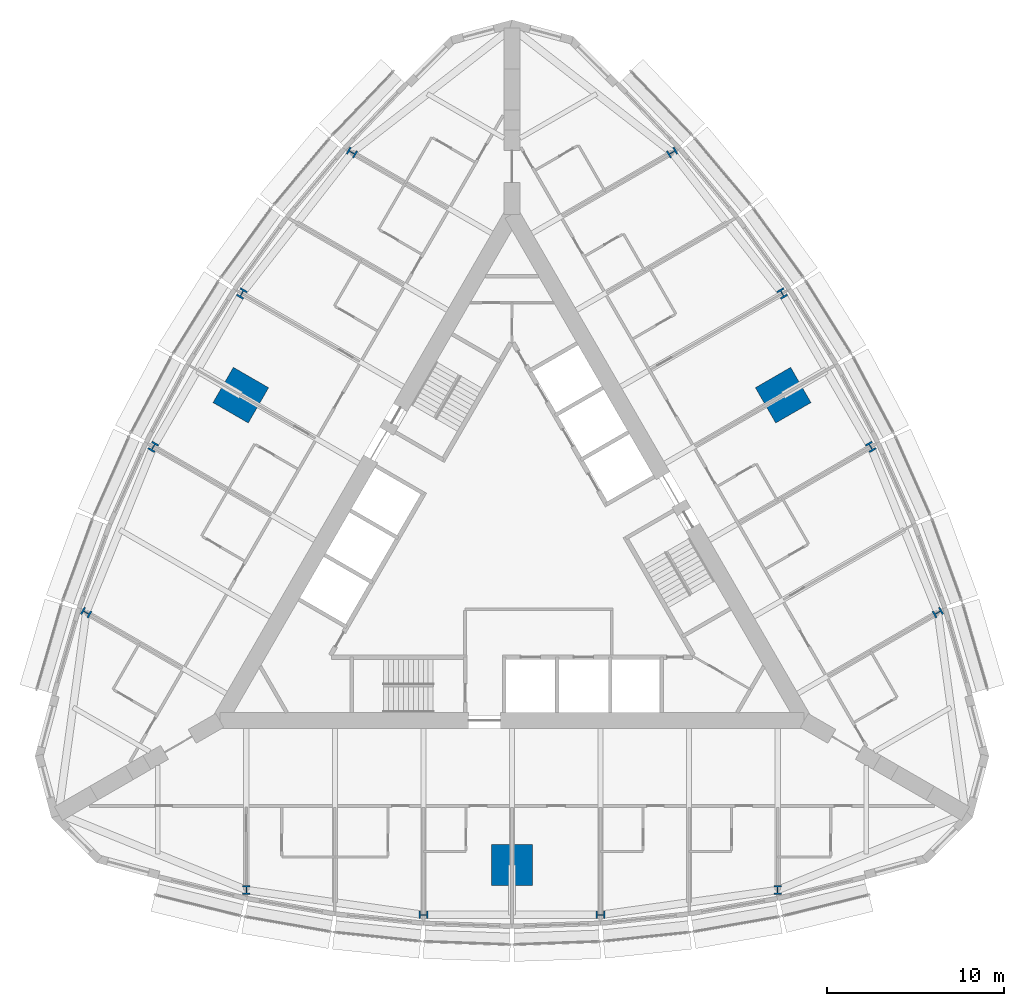
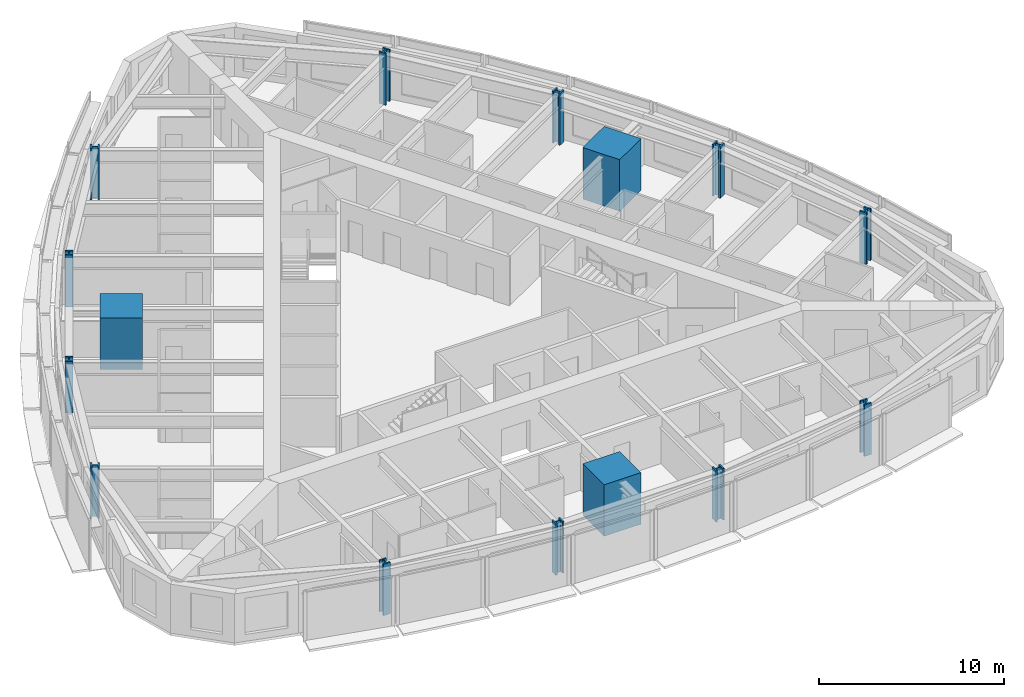
# One storey, part 1 of 14: 15 columns.
"""IFC4 building model written with IfcOpenShell, lengths in metres."""

from ifc_helpers import new_model, si_unit, direction, frame, origin, origin_2d, place, context, subcontext, project, spatial, rectangle, i_section, extrude, material, material_profile, profile_set, type_object, element, save


model = new_model("IFC4")

# Units and contexts
model_context = context("Model", 3, precision=1e-05, world=origin(), true_north=direction((0.0, 1.0)))
body_context = subcontext(model_context, "Body", "Model", "MODEL_VIEW")
ifc_project = project(units=[si_unit("LENGTHUNIT", "METRE"), si_unit("AREAUNIT", "SQUARE_METRE"), si_unit("VOLUMEUNIT", "CUBIC_METRE"), si_unit("PLANEANGLEUNIT", "RADIAN"), si_unit("MASSUNIT", "GRAM", prefix="KILO")], contexts=[model_context])

# Site, building, storey
site_placement = place(None, origin())
site = spatial("IfcSite", under=ifc_project, at=site_placement, CompositionType="ELEMENT")
building_placement = place(site_placement, origin())
building = spatial("IfcBuilding", under=site, at=building_placement, Name="Trikona Tower", CompositionType="ELEMENT")
storey_placement = place(building_placement, frame((0.0, 0.0, 145.300048828125)))
storey = spatial("IfcBuildingStorey", under=building, at=storey_placement, Name="L38", CompositionType="ELEMENT", Elevation=145.300048828125)

# Columns
ifc_material_1 = material(Name="Concrete f'c 10000 psi with encased steel section", Category="concrete")
ifc_material_profile_1 = material_profile(ifc_material_1, rectangle(XDim=2.300048828125, YDim=2.300048828125, at=origin_2d()), Name="MC2300")
ifc_profile_set_1 = profile_set([ifc_material_profile_1], Name="Concrete f'c 10000 psi with encased steel section")
column_type_1 = type_object("IfcColumnType", Name="Composite mega column 2300x2300", PredefinedType="COLUMN", material=ifc_profile_set_1)
for number, where, z_axis, x_axis, name in (
    (1, (0.0, -17.680419921875, 0.0), (0.0, 0.0, 1.0), (0.0, -1.0, 0.0), "Mega column MC1"),
    (2, (15.311767578125, 8.84033203125, 0.0), (0.0, 0.0, 1.0), (0.866025403784, 0.5, 0.0), "Mega column MC2"),
    (3, (-15.311767578125, 8.84033203125, 0.0), (0.0, 0.0, 1.0), (-0.866025403784, 0.5, 0.0), "Mega column MC3"),
):
    element("IfcColumn", number, at=place(storey_placement, frame(where, z_axis=z_axis, x_axis=x_axis)), inside=storey, type_object=column_type_1, Name=name, PredefinedType="COLUMN", context=body_context, shape_type="SweptSolid", body=[
        extrude(rectangle(XDim=2.300048828125, YDim=2.300048828125, at=origin_2d()), origin(), (0.0, 0.0, 1.0), 3.39990234375),
    ])
ifc_material_2 = material(Name="Steel ASTM A992 Grade 50", Category="steel")
ifc_material_profile_2 = material_profile(ifc_material_2, i_section(OverallWidth=0.436767578125, OverallDepth=0.51318359375, WebThickness=0.060546875, FlangeThickness=0.096923828125, at=origin_2d()), Name="W14X550")
ifc_profile_set_2 = profile_set([ifc_material_profile_2], Name="Steel ASTM A992 Grade 50")
column_type_2 = type_object("IfcColumnType", Name="Steel column W14x550", PredefinedType="COLUMN", material=ifc_profile_set_2)
for number, where, z_axis, x_axis, name in (
    (4, (-15.0, -19.10009765625, 0.0), (0.0, 0.0, 1.0), (1.0, 0.0, 0.0), "Column F0m15"),
    (5, (-5.0, -20.500244140625, 0.0), (0.0, 0.0, 1.0), (0.0, -1.0, 0.0), "Column F0m5"),
    (6, (5.0, -20.500244140625, 0.0), (0.0, 0.0, 1.0), (0.0, -1.0, 0.0), "Column F0p5"),
    (7, (15.0, -19.10009765625, 0.0), (0.0, 0.0, 1.0), (1.0, 0.0, 0.0), "Column F0p15"),
    (8, (24.041259765625, -3.440185546875, 0.0), (0.0, 0.0, 1.0), (-0.5, 0.866025403784, 0.0), "Column F1m15"),
    (9, (20.253662109375, 5.919921875, 0.0), (0.0, 0.0, 1.0), (0.866025403784, 0.5, 0.0), "Column F1m5"),
    (10, (15.253662109375, 14.580078125, 0.0), (0.0, 0.0, 1.0), (0.866025403784, 0.5, 0.0), "Column F1p5"),
    (11, (9.041259765625, 22.54052734375, 0.0), (0.0, 0.0, 1.0), (-0.5, 0.866025403784, 0.0), "Column F1p15"),
    (12, (-9.041259765625, 22.54052734375, 0.0), (0.0, 0.0, 1.0), (-0.5, -0.866025403784, 0.0), "Column F2m15"),
    (13, (-15.253662109375, 14.580078125, 0.0), (0.0, 0.0, 1.0), (-0.866025403784, 0.5, 0.0), "Column F2m5"),
    (14, (-20.253662109375, 5.919921875, 0.0), (0.0, 0.0, 1.0), (-0.866025403784, 0.5, 0.0), "Column F2p5"),
    (15, (-24.041259765625, -3.440185546875, 0.0), (0.0, 0.0, 1.0), (-0.5, -0.866025403784, 0.0), "Column F2p15"),
):
    element("IfcColumn", number, at=place(storey_placement, frame(where, z_axis=z_axis, x_axis=x_axis)), inside=storey, type_object=column_type_2, Name=name, PredefinedType="COLUMN", context=body_context, shape_type="SweptSolid", body=[
        extrude(i_section(OverallWidth=0.436767578125, OverallDepth=0.51318359375, WebThickness=0.060546875, FlangeThickness=0.096923828125, at=origin_2d()), origin(), (0.0, 0.0, 1.0), 3.39990234375),
    ])

save(model, "model.ifc")
